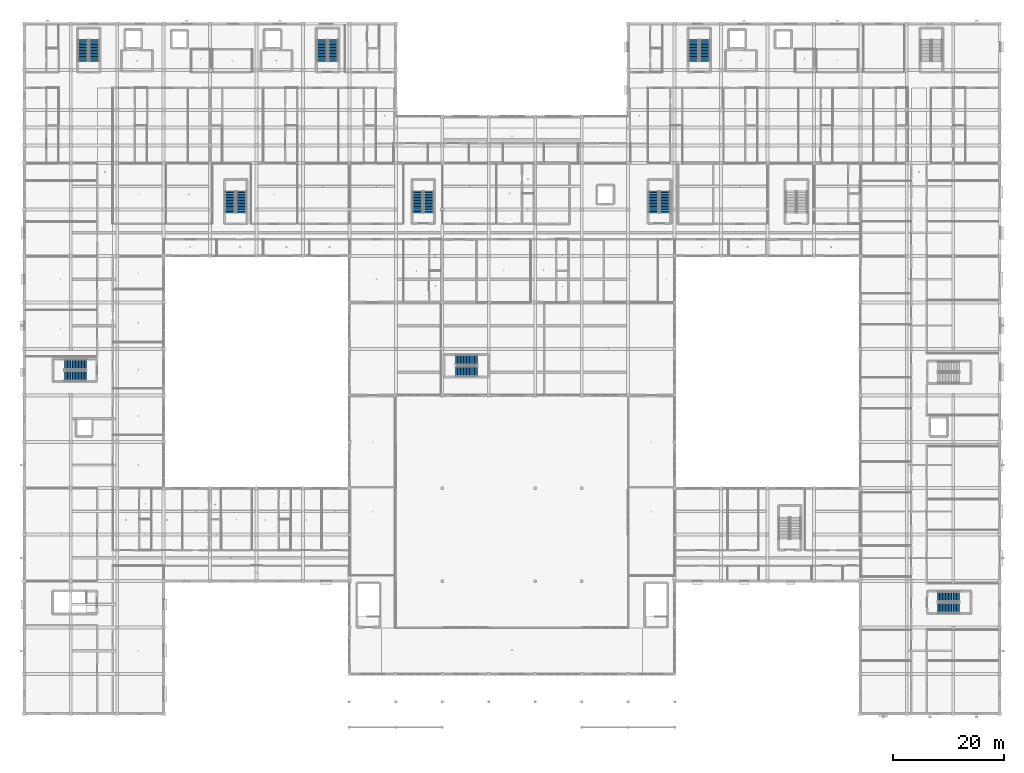
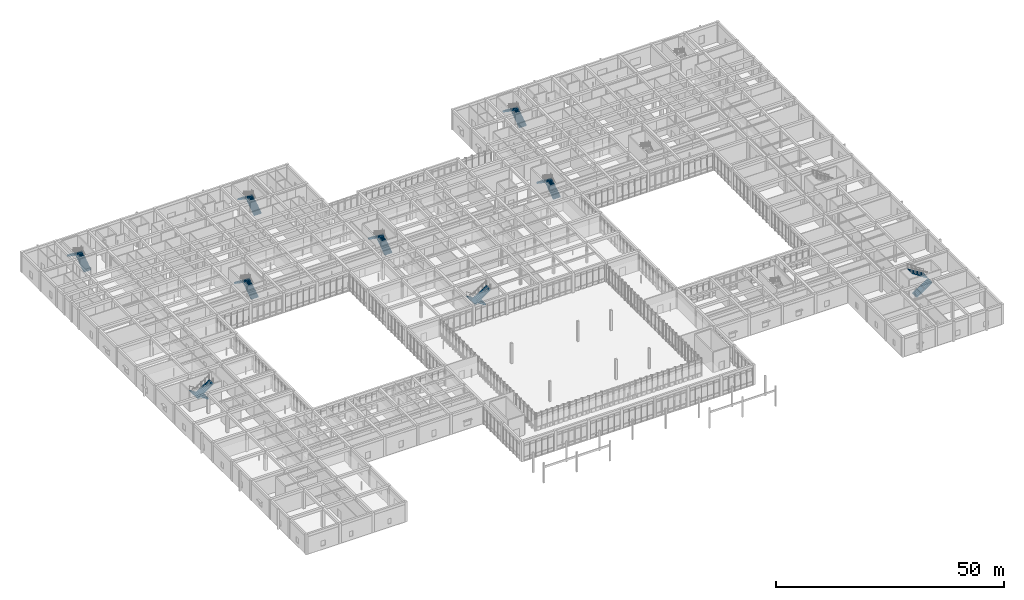
# One storey, part 97 of 157: 18 stair flights, 9 elements without a shape of their own.
"""IFC4 building model written with IfcOpenShell, lengths in metres."""

from ifc_helpers import new_model, si_unit, direction, frame, origin, place, context, subcontext, project, spatial, polyline, outline, extrude, material, type_object, element, aggregate, save


model = new_model("IFC4")

# Units and contexts
model_context = context("Model", 3, precision=1e-05, world=origin(), true_north=direction((0.0, 1.0)))
body_context = subcontext(model_context, "Body", "Model", "MODEL_VIEW")
ifc_project = project(units=[si_unit("LENGTHUNIT", "METRE"), si_unit("AREAUNIT", "SQUARE_METRE"), si_unit("VOLUMEUNIT", "CUBIC_METRE"), si_unit("PLANEANGLEUNIT", "RADIAN"), si_unit("MASSUNIT", "GRAM", prefix="KILO")], contexts=[model_context])

# Site, building, storey
site_placement = place(None, origin())
site = spatial("IfcSite", under=ifc_project, at=site_placement, CompositionType="ELEMENT")
building_placement = place(site_placement, origin())
building = spatial("IfcBuilding", under=site, at=building_placement, Name="Varncliffe General Hospital", CompositionType="ELEMENT")
storey_placement = place(building_placement, frame((0.0, 0.0, 5.39990234375)))
storey = spatial("IfcBuildingStorey", under=building, at=storey_placement, Name="L01", CompositionType="ELEMENT", Elevation=5.39990234375)

# Stair, stair flights
ifc_material = material(Name="Concrete C35/45 (CSA A23.1 35 MPa)", Category="concrete")
stair_type = type_object("IfcStairType", Name="Hospital Stair Assembly ST-T02 (1850w-5400h)", PredefinedType="TWO_STRAIGHT_RUN_STAIR", material=ifc_material)
stair_1_placement = place(storey_placement, origin())
stair_1 = element("IfcStair", 1, at=stair_1_placement, inside=storey, type_object=stair_type, Name="L01 North-West Ward Exit Stair 1", PredefinedType="TWO_STRAIGHT_RUN_STAIR")
stair_flight_type = type_object("IfcStairFlightType", Name="Hospital Stair Flight FL-T02 (1850w-5400h)", PredefinedType="STRAIGHT", material=ifc_material)
stair_flight_1_placement = place(storey_placement, frame((12.675048828125, 118.0, 0.0), z_axis=(0.0, 0.0, 1.0), x_axis=(0.0, 1.0, 0.0)))
stair_flight_1 = element("IfcStairFlight", 2, at=stair_flight_1_placement, type_object=stair_flight_type, Name="ST01 flight 1", NumberOfRisers=15, NumberOfTreads=14, PredefinedType="STRAIGHT", RiserHeight=0.18, TreadLength=0.28, context=body_context, shape_type="SweptSolid", body=[
    extrude(outline(polyline([(-0.02490234375, -0.14990234375), (-0.02490234375, 0.0), (0.0, 0.0), (0.0, 0.179931640625), (0.280029296875, 0.179931640625), (0.280029296875, 0.360107421875), (0.56005859375, 0.360107421875), (0.56005859375, 0.5400390625), (0.840087890625, 0.5400390625), (0.840087890625, 0.719970703125), (1.1201171875, 0.719970703125), (1.1201171875, 0.89990234375), (1.39990234375, 0.89990234375), (1.39990234375, 1.080078125), (1.679931640625, 1.080078125), (1.679931640625, 1.260009765625), (1.9599609375, 1.260009765625), (1.9599609375, 1.43994140625), (2.239990234375, 1.43994140625), (2.239990234375, 1.6201171875), (2.52001953125, 1.6201171875), (2.52001953125, 1.800048828125), (2.800048828125, 1.800048828125), (2.800048828125, 1.97998046875), (3.080078125, 1.97998046875), (3.080078125, 2.159912109375), (3.360107421875, 2.159912109375), (3.360107421875, 2.340087890625), (3.639892578125, 2.340087890625), (3.639892578125, 2.52001953125), (3.919921875, 2.52001953125), (3.919921875, 2.699951171875), (3.94482421875, 2.699951171875), (3.94482421875, 2.550048828125), (3.919921875, 2.341796875), (0.277099609375, -0.14990234375), (-0.02490234375, -0.14990234375)])), frame((0.0, 0.925048828125, 0.0), z_axis=(0.0, -1.0, 0.0), x_axis=(1.0, 0.0, 0.0)), (0.0, 0.0, 1.0), 1.85009765625),
])
stair_flight_2_placement = place(storey_placement, frame((10.625, 121.919921875, 2.7001953125), z_axis=(0.0, 0.0, 1.0), x_axis=(0.0, -1.0, 0.0)))
stair_flight_2 = element("IfcStairFlight", 3, at=stair_flight_2_placement, type_object=stair_flight_type, Name="ST01 flight 2", NumberOfRisers=15, NumberOfTreads=14, PredefinedType="STRAIGHT", RiserHeight=0.18, TreadLength=0.28, context=body_context, shape_type="SweptSolid", body=[
    extrude(outline(polyline([(-0.02490234375, -0.14990234375), (-0.02490234375, 0.0), (0.0, 0.0), (0.0, 0.179931640625), (0.280029296875, 0.179931640625), (0.280029296875, 0.360107421875), (0.56005859375, 0.360107421875), (0.56005859375, 0.5400390625), (0.840087890625, 0.5400390625), (0.840087890625, 0.719970703125), (1.1201171875, 0.719970703125), (1.1201171875, 0.89990234375), (1.39990234375, 0.89990234375), (1.39990234375, 1.080078125), (1.679931640625, 1.080078125), (1.679931640625, 1.260009765625), (1.9599609375, 1.260009765625), (1.9599609375, 1.43994140625), (2.239990234375, 1.43994140625), (2.239990234375, 1.6201171875), (2.52001953125, 1.6201171875), (2.52001953125, 1.800048828125), (2.800048828125, 1.800048828125), (2.800048828125, 1.97998046875), (3.080078125, 1.97998046875), (3.080078125, 2.159912109375), (3.360107421875, 2.159912109375), (3.360107421875, 2.340087890625), (3.639892578125, 2.340087890625), (3.639892578125, 2.52001953125), (3.919921875, 2.52001953125), (3.919921875, 2.699951171875), (3.94482421875, 2.699951171875), (3.94482421875, 2.550048828125), (3.919921875, 2.341796875), (0.277099609375, -0.14990234375), (-0.02490234375, -0.14990234375)])), frame((0.0, 0.925048828125, 0.0), z_axis=(0.0, -1.0, 0.0), x_axis=(1.0, 0.0, 0.0)), (0.0, 0.0, 1.0), 1.85009765625),
])
aggregate(stair_1, [stair_flight_1, stair_flight_2])

stair_2_placement = place(storey_placement, origin())
stair_2 = element("IfcStair", 4, at=stair_2_placement, inside=storey, type_object=stair_type, Name="L01 North-West Ward Exit Stair 2", PredefinedType="TWO_STRAIGHT_RUN_STAIR")
stair_flight_3_placement = place(storey_placement, frame((55.875, 118.0, 0.0), z_axis=(0.0, 0.0, 1.0), x_axis=(0.0, 1.0, 0.0)))
stair_flight_3 = element("IfcStairFlight", 5, at=stair_flight_3_placement, type_object=stair_flight_type, Name="ST02 flight 1", NumberOfRisers=15, NumberOfTreads=14, PredefinedType="STRAIGHT", RiserHeight=0.18, TreadLength=0.28, context=body_context, shape_type="SweptSolid", body=[
    extrude(outline(polyline([(-0.02490234375, -0.14990234375), (-0.02490234375, 0.0), (0.0, 0.0), (0.0, 0.179931640625), (0.280029296875, 0.179931640625), (0.280029296875, 0.360107421875), (0.56005859375, 0.360107421875), (0.56005859375, 0.5400390625), (0.840087890625, 0.5400390625), (0.840087890625, 0.719970703125), (1.1201171875, 0.719970703125), (1.1201171875, 0.89990234375), (1.39990234375, 0.89990234375), (1.39990234375, 1.080078125), (1.679931640625, 1.080078125), (1.679931640625, 1.260009765625), (1.9599609375, 1.260009765625), (1.9599609375, 1.43994140625), (2.239990234375, 1.43994140625), (2.239990234375, 1.6201171875), (2.52001953125, 1.6201171875), (2.52001953125, 1.800048828125), (2.800048828125, 1.800048828125), (2.800048828125, 1.97998046875), (3.080078125, 1.97998046875), (3.080078125, 2.159912109375), (3.360107421875, 2.159912109375), (3.360107421875, 2.340087890625), (3.639892578125, 2.340087890625), (3.639892578125, 2.52001953125), (3.919921875, 2.52001953125), (3.919921875, 2.699951171875), (3.94482421875, 2.699951171875), (3.94482421875, 2.550048828125), (3.919921875, 2.341796875), (0.277099609375, -0.14990234375), (-0.02490234375, -0.14990234375)])), frame((0.0, 0.925048828125, 0.0), z_axis=(0.0, -1.0, 0.0), x_axis=(1.0, 0.0, 0.0)), (0.0, 0.0, 1.0), 1.85009765625),
])
stair_flight_4_placement = place(storey_placement, frame((53.824951171875, 121.919921875, 2.7001953125), z_axis=(0.0, 0.0, 1.0), x_axis=(0.0, -1.0, 0.0)))
stair_flight_4 = element("IfcStairFlight", 6, at=stair_flight_4_placement, type_object=stair_flight_type, Name="ST02 flight 2", NumberOfRisers=15, NumberOfTreads=14, PredefinedType="STRAIGHT", RiserHeight=0.18, TreadLength=0.28, context=body_context, shape_type="SweptSolid", body=[
    extrude(outline(polyline([(-0.02490234375, -0.14990234375), (-0.02490234375, 0.0), (0.0, 0.0), (0.0, 0.179931640625), (0.280029296875, 0.179931640625), (0.280029296875, 0.360107421875), (0.56005859375, 0.360107421875), (0.56005859375, 0.5400390625), (0.840087890625, 0.5400390625), (0.840087890625, 0.719970703125), (1.1201171875, 0.719970703125), (1.1201171875, 0.89990234375), (1.39990234375, 0.89990234375), (1.39990234375, 1.080078125), (1.679931640625, 1.080078125), (1.679931640625, 1.260009765625), (1.9599609375, 1.260009765625), (1.9599609375, 1.43994140625), (2.239990234375, 1.43994140625), (2.239990234375, 1.6201171875), (2.52001953125, 1.6201171875), (2.52001953125, 1.800048828125), (2.800048828125, 1.800048828125), (2.800048828125, 1.97998046875), (3.080078125, 1.97998046875), (3.080078125, 2.159912109375), (3.360107421875, 2.159912109375), (3.360107421875, 2.340087890625), (3.639892578125, 2.340087890625), (3.639892578125, 2.52001953125), (3.919921875, 2.52001953125), (3.919921875, 2.699951171875), (3.94482421875, 2.699951171875), (3.94482421875, 2.550048828125), (3.919921875, 2.341796875), (0.277099609375, -0.14990234375), (-0.02490234375, -0.14990234375)])), frame((0.0, 0.925048828125, 0.0), z_axis=(0.0, -1.0, 0.0), x_axis=(1.0, 0.0, 0.0)), (0.0, 0.0, 1.0), 1.85009765625),
])
aggregate(stair_2, [stair_flight_3, stair_flight_4])

stair_3_placement = place(storey_placement, origin())
stair_3 = element("IfcStair", 7, at=stair_3_placement, inside=storey, type_object=stair_type, Name="L01 North-East Ward Exit Stair 3", PredefinedType="TWO_STRAIGHT_RUN_STAIR")
stair_flight_5_placement = place(storey_placement, frame((123.074951171875, 118.0, 0.0), z_axis=(0.0, 0.0, 1.0), x_axis=(0.0, 1.0, 0.0)))
stair_flight_5 = element("IfcStairFlight", 8, at=stair_flight_5_placement, type_object=stair_flight_type, Name="ST03 flight 1", NumberOfRisers=15, NumberOfTreads=14, PredefinedType="STRAIGHT", RiserHeight=0.18, TreadLength=0.28, context=body_context, shape_type="SweptSolid", body=[
    extrude(outline(polyline([(-0.02490234375, -0.14990234375), (-0.02490234375, 0.0), (0.0, 0.0), (0.0, 0.179931640625), (0.280029296875, 0.179931640625), (0.280029296875, 0.360107421875), (0.56005859375, 0.360107421875), (0.56005859375, 0.5400390625), (0.840087890625, 0.5400390625), (0.840087890625, 0.719970703125), (1.1201171875, 0.719970703125), (1.1201171875, 0.89990234375), (1.39990234375, 0.89990234375), (1.39990234375, 1.080078125), (1.679931640625, 1.080078125), (1.679931640625, 1.260009765625), (1.9599609375, 1.260009765625), (1.9599609375, 1.43994140625), (2.239990234375, 1.43994140625), (2.239990234375, 1.6201171875), (2.52001953125, 1.6201171875), (2.52001953125, 1.800048828125), (2.800048828125, 1.800048828125), (2.800048828125, 1.97998046875), (3.080078125, 1.97998046875), (3.080078125, 2.159912109375), (3.360107421875, 2.159912109375), (3.360107421875, 2.340087890625), (3.639892578125, 2.340087890625), (3.639892578125, 2.52001953125), (3.919921875, 2.52001953125), (3.919921875, 2.699951171875), (3.94482421875, 2.699951171875), (3.94482421875, 2.550048828125), (3.919921875, 2.341796875), (0.277099609375, -0.14990234375), (-0.02490234375, -0.14990234375)])), frame((0.0, 0.925048828125, 0.0), z_axis=(0.0, -1.0, 0.0), x_axis=(1.0, 0.0, 0.0)), (0.0, 0.0, 1.0), 1.85009765625),
])
stair_flight_6_placement = place(storey_placement, frame((121.02490234375, 121.919921875, 2.7001953125), z_axis=(0.0, 0.0, 1.0), x_axis=(0.0, -1.0, 0.0)))
stair_flight_6 = element("IfcStairFlight", 9, at=stair_flight_6_placement, type_object=stair_flight_type, Name="ST03 flight 2", NumberOfRisers=15, NumberOfTreads=14, PredefinedType="STRAIGHT", RiserHeight=0.18, TreadLength=0.28, context=body_context, shape_type="SweptSolid", body=[
    extrude(outline(polyline([(-0.02490234375, -0.14990234375), (-0.02490234375, 0.0), (0.0, 0.0), (0.0, 0.179931640625), (0.280029296875, 0.179931640625), (0.280029296875, 0.360107421875), (0.56005859375, 0.360107421875), (0.56005859375, 0.5400390625), (0.840087890625, 0.5400390625), (0.840087890625, 0.719970703125), (1.1201171875, 0.719970703125), (1.1201171875, 0.89990234375), (1.39990234375, 0.89990234375), (1.39990234375, 1.080078125), (1.679931640625, 1.080078125), (1.679931640625, 1.260009765625), (1.9599609375, 1.260009765625), (1.9599609375, 1.43994140625), (2.239990234375, 1.43994140625), (2.239990234375, 1.6201171875), (2.52001953125, 1.6201171875), (2.52001953125, 1.800048828125), (2.800048828125, 1.800048828125), (2.800048828125, 1.97998046875), (3.080078125, 1.97998046875), (3.080078125, 2.159912109375), (3.360107421875, 2.159912109375), (3.360107421875, 2.340087890625), (3.639892578125, 2.340087890625), (3.639892578125, 2.52001953125), (3.919921875, 2.52001953125), (3.919921875, 2.699951171875), (3.94482421875, 2.699951171875), (3.94482421875, 2.550048828125), (3.919921875, 2.341796875), (0.277099609375, -0.14990234375), (-0.02490234375, -0.14990234375)])), frame((0.0, 0.925048828125, 0.0), z_axis=(0.0, -1.0, 0.0), x_axis=(1.0, 0.0, 0.0)), (0.0, 0.0, 1.0), 1.85009765625),
])
aggregate(stair_3, [stair_flight_5, stair_flight_6])

stair_4_placement = place(storey_placement, origin())
stair_4 = element("IfcStair", 10, at=stair_4_placement, inside=storey, type_object=stair_type, Name="L01 Diagnostic West Exit Stair 5", PredefinedType="TWO_STRAIGHT_RUN_STAIR")
stair_flight_7_placement = place(storey_placement, frame((11.199951171875, 63.175048828125, 0.0), z_axis=(0.0, 0.0, 1.0), x_axis=(-1.0, 0.0, 0.0)))
stair_flight_7 = element("IfcStairFlight", 11, at=stair_flight_7_placement, type_object=stair_flight_type, Name="ST05 flight 1", NumberOfRisers=15, NumberOfTreads=14, PredefinedType="STRAIGHT", RiserHeight=0.18, TreadLength=0.28, context=body_context, shape_type="SweptSolid", body=[
    extrude(outline(polyline([(-0.02490234375, -0.14990234375), (-0.02490234375, 0.0), (0.0, 0.0), (0.0, 0.179931640625), (0.280029296875, 0.179931640625), (0.280029296875, 0.360107421875), (0.56005859375, 0.360107421875), (0.56005859375, 0.5400390625), (0.840087890625, 0.5400390625), (0.840087890625, 0.719970703125), (1.1201171875, 0.719970703125), (1.1201171875, 0.89990234375), (1.39990234375, 0.89990234375), (1.39990234375, 1.080078125), (1.679931640625, 1.080078125), (1.679931640625, 1.260009765625), (1.9599609375, 1.260009765625), (1.9599609375, 1.43994140625), (2.239990234375, 1.43994140625), (2.239990234375, 1.6201171875), (2.52001953125, 1.6201171875), (2.52001953125, 1.800048828125), (2.800048828125, 1.800048828125), (2.800048828125, 1.97998046875), (3.080078125, 1.97998046875), (3.080078125, 2.159912109375), (3.360107421875, 2.159912109375), (3.360107421875, 2.340087890625), (3.639892578125, 2.340087890625), (3.639892578125, 2.52001953125), (3.919921875, 2.52001953125), (3.919921875, 2.699951171875), (3.94482421875, 2.699951171875), (3.94482421875, 2.550048828125), (3.919921875, 2.341796875), (0.277099609375, -0.14990234375), (-0.02490234375, -0.14990234375)])), frame((0.0, 0.925048828125, 0.0), z_axis=(0.0, -1.0, 0.0), x_axis=(1.0, 0.0, 0.0)), (0.0, 0.0, 1.0), 1.85009765625),
])
stair_flight_8_placement = place(storey_placement, frame((7.280029296875, 61.125, 2.7001953125), z_axis=(0.0, 0.0, 1.0), x_axis=(1.0, 0.0, 0.0)))
stair_flight_8 = element("IfcStairFlight", 12, at=stair_flight_8_placement, type_object=stair_flight_type, Name="ST05 flight 2", NumberOfRisers=15, NumberOfTreads=14, PredefinedType="STRAIGHT", RiserHeight=0.18, TreadLength=0.28, context=body_context, shape_type="SweptSolid", body=[
    extrude(outline(polyline([(-0.02490234375, -0.14990234375), (-0.02490234375, 0.0), (0.0, 0.0), (0.0, 0.179931640625), (0.280029296875, 0.179931640625), (0.280029296875, 0.360107421875), (0.56005859375, 0.360107421875), (0.56005859375, 0.5400390625), (0.840087890625, 0.5400390625), (0.840087890625, 0.719970703125), (1.1201171875, 0.719970703125), (1.1201171875, 0.89990234375), (1.39990234375, 0.89990234375), (1.39990234375, 1.080078125), (1.679931640625, 1.080078125), (1.679931640625, 1.260009765625), (1.9599609375, 1.260009765625), (1.9599609375, 1.43994140625), (2.239990234375, 1.43994140625), (2.239990234375, 1.6201171875), (2.52001953125, 1.6201171875), (2.52001953125, 1.800048828125), (2.800048828125, 1.800048828125), (2.800048828125, 1.97998046875), (3.080078125, 1.97998046875), (3.080078125, 2.159912109375), (3.360107421875, 2.159912109375), (3.360107421875, 2.340087890625), (3.639892578125, 2.340087890625), (3.639892578125, 2.52001953125), (3.919921875, 2.52001953125), (3.919921875, 2.699951171875), (3.94482421875, 2.699951171875), (3.94482421875, 2.550048828125), (3.919921875, 2.341796875), (0.277099609375, -0.14990234375), (-0.02490234375, -0.14990234375)])), frame((0.0, 0.925048828125, 0.0), z_axis=(0.0, -1.0, 0.0), x_axis=(1.0, 0.0, 0.0)), (0.0, 0.0, 1.0), 1.85009765625),
])
aggregate(stair_4, [stair_flight_7, stair_flight_8])

stair_5_placement = place(storey_placement, origin())
stair_5 = element("IfcStair", 13, at=stair_5_placement, inside=storey, type_object=stair_type, Name="L01 Surgical and Helipad Exit Stair 6", PredefinedType="TWO_STRAIGHT_RUN_STAIR")
stair_flight_9_placement = place(storey_placement, frame((115.875, 90.60009765625, 0.0), z_axis=(0.0, 0.0, 1.0), x_axis=(0.0, 1.0, 0.0)))
stair_flight_9 = element("IfcStairFlight", 14, at=stair_flight_9_placement, type_object=stair_flight_type, Name="ST06 flight 1", NumberOfRisers=15, NumberOfTreads=14, PredefinedType="STRAIGHT", RiserHeight=0.18, TreadLength=0.28, context=body_context, shape_type="SweptSolid", body=[
    extrude(outline(polyline([(-0.02490234375, -0.14990234375), (-0.02490234375, 0.0), (0.0, 0.0), (0.0, 0.179931640625), (0.280029296875, 0.179931640625), (0.280029296875, 0.360107421875), (0.56005859375, 0.360107421875), (0.56005859375, 0.5400390625), (0.840087890625, 0.5400390625), (0.840087890625, 0.719970703125), (1.1201171875, 0.719970703125), (1.1201171875, 0.89990234375), (1.39990234375, 0.89990234375), (1.39990234375, 1.080078125), (1.679931640625, 1.080078125), (1.679931640625, 1.260009765625), (1.9599609375, 1.260009765625), (1.9599609375, 1.43994140625), (2.239990234375, 1.43994140625), (2.239990234375, 1.6201171875), (2.52001953125, 1.6201171875), (2.52001953125, 1.800048828125), (2.800048828125, 1.800048828125), (2.800048828125, 1.97998046875), (3.080078125, 1.97998046875), (3.080078125, 2.159912109375), (3.360107421875, 2.159912109375), (3.360107421875, 2.340087890625), (3.639892578125, 2.340087890625), (3.639892578125, 2.52001953125), (3.919921875, 2.52001953125), (3.919921875, 2.699951171875), (3.94482421875, 2.699951171875), (3.94482421875, 2.550048828125), (3.919921875, 2.341796875), (0.277099609375, -0.14990234375), (-0.02490234375, -0.14990234375)])), frame((0.0, 0.925048828125, 0.0), z_axis=(0.0, -1.0, 0.0), x_axis=(1.0, 0.0, 0.0)), (0.0, 0.0, 1.0), 1.85009765625),
])
stair_flight_10_placement = place(storey_placement, frame((113.824951171875, 94.52001953125, 2.7001953125), z_axis=(0.0, 0.0, 1.0), x_axis=(0.0, -1.0, 0.0)))
stair_flight_10 = element("IfcStairFlight", 15, at=stair_flight_10_placement, type_object=stair_flight_type, Name="ST06 flight 2", NumberOfRisers=15, NumberOfTreads=14, PredefinedType="STRAIGHT", RiserHeight=0.18, TreadLength=0.28, context=body_context, shape_type="SweptSolid", body=[
    extrude(outline(polyline([(-0.02490234375, -0.14990234375), (-0.02490234375, 0.0), (0.0, 0.0), (0.0, 0.179931640625), (0.280029296875, 0.179931640625), (0.280029296875, 0.360107421875), (0.56005859375, 0.360107421875), (0.56005859375, 0.5400390625), (0.840087890625, 0.5400390625), (0.840087890625, 0.719970703125), (1.1201171875, 0.719970703125), (1.1201171875, 0.89990234375), (1.39990234375, 0.89990234375), (1.39990234375, 1.080078125), (1.679931640625, 1.080078125), (1.679931640625, 1.260009765625), (1.9599609375, 1.260009765625), (1.9599609375, 1.43994140625), (2.239990234375, 1.43994140625), (2.239990234375, 1.6201171875), (2.52001953125, 1.6201171875), (2.52001953125, 1.800048828125), (2.800048828125, 1.800048828125), (2.800048828125, 1.97998046875), (3.080078125, 1.97998046875), (3.080078125, 2.159912109375), (3.360107421875, 2.159912109375), (3.360107421875, 2.340087890625), (3.639892578125, 2.340087890625), (3.639892578125, 2.52001953125), (3.919921875, 2.52001953125), (3.919921875, 2.699951171875), (3.94482421875, 2.699951171875), (3.94482421875, 2.550048828125), (3.919921875, 2.341796875), (0.277099609375, -0.14990234375), (-0.02490234375, -0.14990234375)])), frame((0.0, 0.925048828125, 0.0), z_axis=(0.0, -1.0, 0.0), x_axis=(1.0, 0.0, 0.0)), (0.0, 0.0, 1.0), 1.85009765625),
])
aggregate(stair_5, [stair_flight_9, stair_flight_10])

stair_6_placement = place(storey_placement, origin())
stair_6 = element("IfcStair", 16, at=stair_6_placement, inside=storey, type_object=stair_type, Name="L01 Outpatient South-East Exit Stair 11", PredefinedType="TWO_STRAIGHT_RUN_STAIR")
stair_flight_11_placement = place(storey_placement, frame((165.199951171875, 19.125, 0.0), z_axis=(0.0, 0.0, 1.0), x_axis=(1.0, 0.0, 0.0)))
stair_flight_11 = element("IfcStairFlight", 17, at=stair_flight_11_placement, type_object=stair_flight_type, Name="ST11 flight 1", NumberOfRisers=15, NumberOfTreads=14, PredefinedType="STRAIGHT", RiserHeight=0.18, TreadLength=0.28, context=body_context, shape_type="SweptSolid", body=[
    extrude(outline(polyline([(-0.02490234375, -0.14990234375), (-0.02490234375, 0.0), (0.0, 0.0), (0.0, 0.179931640625), (0.280029296875, 0.179931640625), (0.280029296875, 0.360107421875), (0.56005859375, 0.360107421875), (0.56005859375, 0.5400390625), (0.840087890625, 0.5400390625), (0.840087890625, 0.719970703125), (1.1201171875, 0.719970703125), (1.1201171875, 0.89990234375), (1.39990234375, 0.89990234375), (1.39990234375, 1.080078125), (1.679931640625, 1.080078125), (1.679931640625, 1.260009765625), (1.9599609375, 1.260009765625), (1.9599609375, 1.43994140625), (2.239990234375, 1.43994140625), (2.239990234375, 1.6201171875), (2.52001953125, 1.6201171875), (2.52001953125, 1.800048828125), (2.800048828125, 1.800048828125), (2.800048828125, 1.97998046875), (3.080078125, 1.97998046875), (3.080078125, 2.159912109375), (3.360107421875, 2.159912109375), (3.360107421875, 2.340087890625), (3.639892578125, 2.340087890625), (3.639892578125, 2.52001953125), (3.919921875, 2.52001953125), (3.919921875, 2.699951171875), (3.94482421875, 2.699951171875), (3.94482421875, 2.550048828125), (3.919921875, 2.341796875), (0.277099609375, -0.14990234375), (-0.02490234375, -0.14990234375)])), frame((0.0, 0.925048828125, 0.0), z_axis=(0.0, -1.0, 0.0), x_axis=(1.0, 0.0, 0.0)), (0.0, 0.0, 1.0), 1.85009765625),
])
stair_flight_12_placement = place(storey_placement, frame((169.1201171875, 21.175048828125, 2.7001953125), z_axis=(0.0, 0.0, 1.0), x_axis=(-1.0, 0.0, 0.0)))
stair_flight_12 = element("IfcStairFlight", 18, at=stair_flight_12_placement, type_object=stair_flight_type, Name="ST11 flight 2", NumberOfRisers=15, NumberOfTreads=14, PredefinedType="STRAIGHT", RiserHeight=0.18, TreadLength=0.28, context=body_context, shape_type="SweptSolid", body=[
    extrude(outline(polyline([(-0.02490234375, -0.14990234375), (-0.02490234375, 0.0), (0.0, 0.0), (0.0, 0.179931640625), (0.280029296875, 0.179931640625), (0.280029296875, 0.360107421875), (0.56005859375, 0.360107421875), (0.56005859375, 0.5400390625), (0.840087890625, 0.5400390625), (0.840087890625, 0.719970703125), (1.1201171875, 0.719970703125), (1.1201171875, 0.89990234375), (1.39990234375, 0.89990234375), (1.39990234375, 1.080078125), (1.679931640625, 1.080078125), (1.679931640625, 1.260009765625), (1.9599609375, 1.260009765625), (1.9599609375, 1.43994140625), (2.239990234375, 1.43994140625), (2.239990234375, 1.6201171875), (2.52001953125, 1.6201171875), (2.52001953125, 1.800048828125), (2.800048828125, 1.800048828125), (2.800048828125, 1.97998046875), (3.080078125, 1.97998046875), (3.080078125, 2.159912109375), (3.360107421875, 2.159912109375), (3.360107421875, 2.340087890625), (3.639892578125, 2.340087890625), (3.639892578125, 2.52001953125), (3.919921875, 2.52001953125), (3.919921875, 2.699951171875), (3.94482421875, 2.699951171875), (3.94482421875, 2.550048828125), (3.919921875, 2.341796875), (0.277099609375, -0.14990234375), (-0.02490234375, -0.14990234375)])), frame((0.0, 0.925048828125, 0.0), z_axis=(0.0, -1.0, 0.0), x_axis=(1.0, 0.0, 0.0)), (0.0, 0.0, 1.0), 1.85009765625),
])
aggregate(stair_6, [stair_flight_11, stair_flight_12])

stair_7_placement = place(storey_placement, origin())
stair_7 = element("IfcStair", 19, at=stair_7_placement, inside=storey, type_object=stair_type, Name="L01 Surgical West Exit Stair 12", PredefinedType="TWO_STRAIGHT_RUN_STAIR")
stair_flight_13_placement = place(storey_placement, frame((73.175048828125, 90.60009765625, 0.0), z_axis=(0.0, 0.0, 1.0), x_axis=(0.0, 1.0, 0.0)))
stair_flight_13 = element("IfcStairFlight", 20, at=stair_flight_13_placement, type_object=stair_flight_type, Name="ST12 flight 1", NumberOfRisers=15, NumberOfTreads=14, PredefinedType="STRAIGHT", RiserHeight=0.18, TreadLength=0.28, context=body_context, shape_type="SweptSolid", body=[
    extrude(outline(polyline([(-0.02490234375, -0.14990234375), (-0.02490234375, 0.0), (0.0, 0.0), (0.0, 0.179931640625), (0.280029296875, 0.179931640625), (0.280029296875, 0.360107421875), (0.56005859375, 0.360107421875), (0.56005859375, 0.5400390625), (0.840087890625, 0.5400390625), (0.840087890625, 0.719970703125), (1.1201171875, 0.719970703125), (1.1201171875, 0.89990234375), (1.39990234375, 0.89990234375), (1.39990234375, 1.080078125), (1.679931640625, 1.080078125), (1.679931640625, 1.260009765625), (1.9599609375, 1.260009765625), (1.9599609375, 1.43994140625), (2.239990234375, 1.43994140625), (2.239990234375, 1.6201171875), (2.52001953125, 1.6201171875), (2.52001953125, 1.800048828125), (2.800048828125, 1.800048828125), (2.800048828125, 1.97998046875), (3.080078125, 1.97998046875), (3.080078125, 2.159912109375), (3.360107421875, 2.159912109375), (3.360107421875, 2.340087890625), (3.639892578125, 2.340087890625), (3.639892578125, 2.52001953125), (3.919921875, 2.52001953125), (3.919921875, 2.699951171875), (3.94482421875, 2.699951171875), (3.94482421875, 2.550048828125), (3.919921875, 2.341796875), (0.277099609375, -0.14990234375), (-0.02490234375, -0.14990234375)])), frame((0.0, 0.925048828125, 0.0), z_axis=(0.0, -1.0, 0.0), x_axis=(1.0, 0.0, 0.0)), (0.0, 0.0, 1.0), 1.85009765625),
])
stair_flight_14_placement = place(storey_placement, frame((71.125, 94.52001953125, 2.7001953125), z_axis=(0.0, 0.0, 1.0), x_axis=(0.0, -1.0, 0.0)))
stair_flight_14 = element("IfcStairFlight", 21, at=stair_flight_14_placement, type_object=stair_flight_type, Name="ST12 flight 2", NumberOfRisers=15, NumberOfTreads=14, PredefinedType="STRAIGHT", RiserHeight=0.18, TreadLength=0.28, context=body_context, shape_type="SweptSolid", body=[
    extrude(outline(polyline([(-0.02490234375, -0.14990234375), (-0.02490234375, 0.0), (0.0, 0.0), (0.0, 0.179931640625), (0.280029296875, 0.179931640625), (0.280029296875, 0.360107421875), (0.56005859375, 0.360107421875), (0.56005859375, 0.5400390625), (0.840087890625, 0.5400390625), (0.840087890625, 0.719970703125), (1.1201171875, 0.719970703125), (1.1201171875, 0.89990234375), (1.39990234375, 0.89990234375), (1.39990234375, 1.080078125), (1.679931640625, 1.080078125), (1.679931640625, 1.260009765625), (1.9599609375, 1.260009765625), (1.9599609375, 1.43994140625), (2.239990234375, 1.43994140625), (2.239990234375, 1.6201171875), (2.52001953125, 1.6201171875), (2.52001953125, 1.800048828125), (2.800048828125, 1.800048828125), (2.800048828125, 1.97998046875), (3.080078125, 1.97998046875), (3.080078125, 2.159912109375), (3.360107421875, 2.159912109375), (3.360107421875, 2.340087890625), (3.639892578125, 2.340087890625), (3.639892578125, 2.52001953125), (3.919921875, 2.52001953125), (3.919921875, 2.699951171875), (3.94482421875, 2.699951171875), (3.94482421875, 2.550048828125), (3.919921875, 2.341796875), (0.277099609375, -0.14990234375), (-0.02490234375, -0.14990234375)])), frame((0.0, 0.925048828125, 0.0), z_axis=(0.0, -1.0, 0.0), x_axis=(1.0, 0.0, 0.0)), (0.0, 0.0, 1.0), 1.85009765625),
])
aggregate(stair_7, [stair_flight_13, stair_flight_14])

stair_8_placement = place(storey_placement, origin())
stair_8 = element("IfcStair", 22, at=stair_8_placement, inside=storey, type_object=stair_type, Name="L01 West-Central Clinical Exit Stair 13", PredefinedType="TWO_STRAIGHT_RUN_STAIR")
stair_flight_15_placement = place(storey_placement, frame((39.27490234375, 90.60009765625, 0.0), z_axis=(0.0, 0.0, 1.0), x_axis=(0.0, 1.0, 0.0)))
stair_flight_15 = element("IfcStairFlight", 23, at=stair_flight_15_placement, type_object=stair_flight_type, Name="ST13 flight 1", NumberOfRisers=15, NumberOfTreads=14, PredefinedType="STRAIGHT", RiserHeight=0.18, TreadLength=0.28, context=body_context, shape_type="SweptSolid", body=[
    extrude(outline(polyline([(-0.02490234375, -0.14990234375), (-0.02490234375, 0.0), (0.0, 0.0), (0.0, 0.179931640625), (0.280029296875, 0.179931640625), (0.280029296875, 0.360107421875), (0.56005859375, 0.360107421875), (0.56005859375, 0.5400390625), (0.840087890625, 0.5400390625), (0.840087890625, 0.719970703125), (1.1201171875, 0.719970703125), (1.1201171875, 0.89990234375), (1.39990234375, 0.89990234375), (1.39990234375, 1.080078125), (1.679931640625, 1.080078125), (1.679931640625, 1.260009765625), (1.9599609375, 1.260009765625), (1.9599609375, 1.43994140625), (2.239990234375, 1.43994140625), (2.239990234375, 1.6201171875), (2.52001953125, 1.6201171875), (2.52001953125, 1.800048828125), (2.800048828125, 1.800048828125), (2.800048828125, 1.97998046875), (3.080078125, 1.97998046875), (3.080078125, 2.159912109375), (3.360107421875, 2.159912109375), (3.360107421875, 2.340087890625), (3.639892578125, 2.340087890625), (3.639892578125, 2.52001953125), (3.919921875, 2.52001953125), (3.919921875, 2.699951171875), (3.94482421875, 2.699951171875), (3.94482421875, 2.550048828125), (3.919921875, 2.341796875), (0.277099609375, -0.14990234375), (-0.02490234375, -0.14990234375)])), frame((0.0, 0.925048828125, 0.0), z_axis=(0.0, -1.0, 0.0), x_axis=(1.0, 0.0, 0.0)), (0.0, 0.0, 1.0), 1.85009765625),
])
stair_flight_16_placement = place(storey_placement, frame((37.22509765625, 94.52001953125, 2.7001953125), z_axis=(0.0, 0.0, 1.0), x_axis=(0.0, -1.0, 0.0)))
stair_flight_16 = element("IfcStairFlight", 24, at=stair_flight_16_placement, type_object=stair_flight_type, Name="ST13 flight 2", NumberOfRisers=15, NumberOfTreads=14, PredefinedType="STRAIGHT", RiserHeight=0.18, TreadLength=0.28, context=body_context, shape_type="SweptSolid", body=[
    extrude(outline(polyline([(-0.02490234375, -0.14990234375), (-0.02490234375, 0.0), (0.0, 0.0), (0.0, 0.179931640625), (0.280029296875, 0.179931640625), (0.280029296875, 0.360107421875), (0.56005859375, 0.360107421875), (0.56005859375, 0.5400390625), (0.840087890625, 0.5400390625), (0.840087890625, 0.719970703125), (1.1201171875, 0.719970703125), (1.1201171875, 0.89990234375), (1.39990234375, 0.89990234375), (1.39990234375, 1.080078125), (1.679931640625, 1.080078125), (1.679931640625, 1.260009765625), (1.9599609375, 1.260009765625), (1.9599609375, 1.43994140625), (2.239990234375, 1.43994140625), (2.239990234375, 1.6201171875), (2.52001953125, 1.6201171875), (2.52001953125, 1.800048828125), (2.800048828125, 1.800048828125), (2.800048828125, 1.97998046875), (3.080078125, 1.97998046875), (3.080078125, 2.159912109375), (3.360107421875, 2.159912109375), (3.360107421875, 2.340087890625), (3.639892578125, 2.340087890625), (3.639892578125, 2.52001953125), (3.919921875, 2.52001953125), (3.919921875, 2.699951171875), (3.94482421875, 2.699951171875), (3.94482421875, 2.550048828125), (3.919921875, 2.341796875), (0.277099609375, -0.14990234375), (-0.02490234375, -0.14990234375)])), frame((0.0, 0.925048828125, 0.0), z_axis=(0.0, -1.0, 0.0), x_axis=(1.0, 0.0, 0.0)), (0.0, 0.0, 1.0), 1.85009765625),
])
aggregate(stair_8, [stair_flight_15, stair_flight_16])

stair_9_placement = place(storey_placement, origin())
stair_9 = element("IfcStair", 25, at=stair_9_placement, inside=storey, type_object=stair_type, Name="L01 Winter-Garden Concourse Exit Stair 16", PredefinedType="TWO_STRAIGHT_RUN_STAIR")
stair_flight_17_placement = place(storey_placement, frame((81.949951171875, 63.97509765625, 0.0), z_axis=(0.0, 0.0, 1.0), x_axis=(-1.0, 0.0, 0.0)))
stair_flight_17 = element("IfcStairFlight", 26, at=stair_flight_17_placement, type_object=stair_flight_type, Name="ST16 flight 1", NumberOfRisers=15, NumberOfTreads=14, PredefinedType="STRAIGHT", RiserHeight=0.18, TreadLength=0.28, context=body_context, shape_type="SweptSolid", body=[
    extrude(outline(polyline([(-0.02490234375, -0.14990234375), (-0.02490234375, 0.0), (0.0, 0.0), (0.0, 0.179931640625), (0.280029296875, 0.179931640625), (0.280029296875, 0.360107421875), (0.56005859375, 0.360107421875), (0.56005859375, 0.5400390625), (0.840087890625, 0.5400390625), (0.840087890625, 0.719970703125), (1.1201171875, 0.719970703125), (1.1201171875, 0.89990234375), (1.39990234375, 0.89990234375), (1.39990234375, 1.080078125), (1.679931640625, 1.080078125), (1.679931640625, 1.260009765625), (1.9599609375, 1.260009765625), (1.9599609375, 1.43994140625), (2.239990234375, 1.43994140625), (2.239990234375, 1.6201171875), (2.52001953125, 1.6201171875), (2.52001953125, 1.800048828125), (2.800048828125, 1.800048828125), (2.800048828125, 1.97998046875), (3.080078125, 1.97998046875), (3.080078125, 2.159912109375), (3.360107421875, 2.159912109375), (3.360107421875, 2.340087890625), (3.639892578125, 2.340087890625), (3.639892578125, 2.52001953125), (3.919921875, 2.52001953125), (3.919921875, 2.699951171875), (3.94482421875, 2.699951171875), (3.94482421875, 2.550048828125), (3.919921875, 2.341796875), (0.277099609375, -0.14990234375), (-0.02490234375, -0.14990234375)])), frame((0.0, 0.925048828125, 0.0), z_axis=(0.0, -1.0, 0.0), x_axis=(1.0, 0.0, 0.0)), (0.0, 0.0, 1.0), 1.85009765625),
])
stair_flight_18_placement = place(storey_placement, frame((78.030029296875, 61.925048828125, 2.7001953125), z_axis=(0.0, 0.0, 1.0), x_axis=(1.0, 0.0, 0.0)))
stair_flight_18 = element("IfcStairFlight", 27, at=stair_flight_18_placement, type_object=stair_flight_type, Name="ST16 flight 2", NumberOfRisers=15, NumberOfTreads=14, PredefinedType="STRAIGHT", RiserHeight=0.18, TreadLength=0.28, context=body_context, shape_type="SweptSolid", body=[
    extrude(outline(polyline([(-0.02490234375, -0.14990234375), (-0.02490234375, 0.0), (0.0, 0.0), (0.0, 0.179931640625), (0.280029296875, 0.179931640625), (0.280029296875, 0.360107421875), (0.56005859375, 0.360107421875), (0.56005859375, 0.5400390625), (0.840087890625, 0.5400390625), (0.840087890625, 0.719970703125), (1.1201171875, 0.719970703125), (1.1201171875, 0.89990234375), (1.39990234375, 0.89990234375), (1.39990234375, 1.080078125), (1.679931640625, 1.080078125), (1.679931640625, 1.260009765625), (1.9599609375, 1.260009765625), (1.9599609375, 1.43994140625), (2.239990234375, 1.43994140625), (2.239990234375, 1.6201171875), (2.52001953125, 1.6201171875), (2.52001953125, 1.800048828125), (2.800048828125, 1.800048828125), (2.800048828125, 1.97998046875), (3.080078125, 1.97998046875), (3.080078125, 2.159912109375), (3.360107421875, 2.159912109375), (3.360107421875, 2.340087890625), (3.639892578125, 2.340087890625), (3.639892578125, 2.52001953125), (3.919921875, 2.52001953125), (3.919921875, 2.699951171875), (3.94482421875, 2.699951171875), (3.94482421875, 2.550048828125), (3.919921875, 2.341796875), (0.277099609375, -0.14990234375), (-0.02490234375, -0.14990234375)])), frame((0.0, 0.925048828125, 0.0), z_axis=(0.0, -1.0, 0.0), x_axis=(1.0, 0.0, 0.0)), (0.0, 0.0, 1.0), 1.85009765625),
])
aggregate(stair_9, [stair_flight_17, stair_flight_18])

save(model, "model.ifc")
